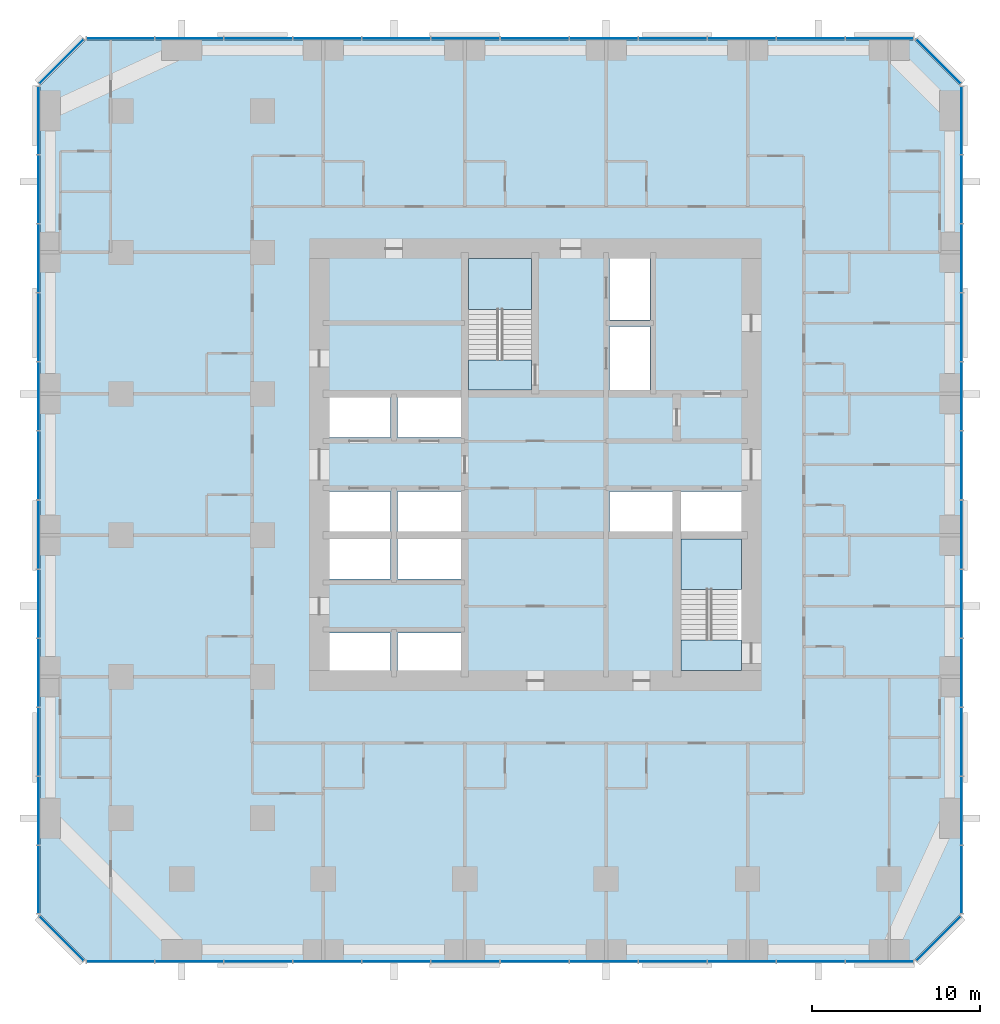
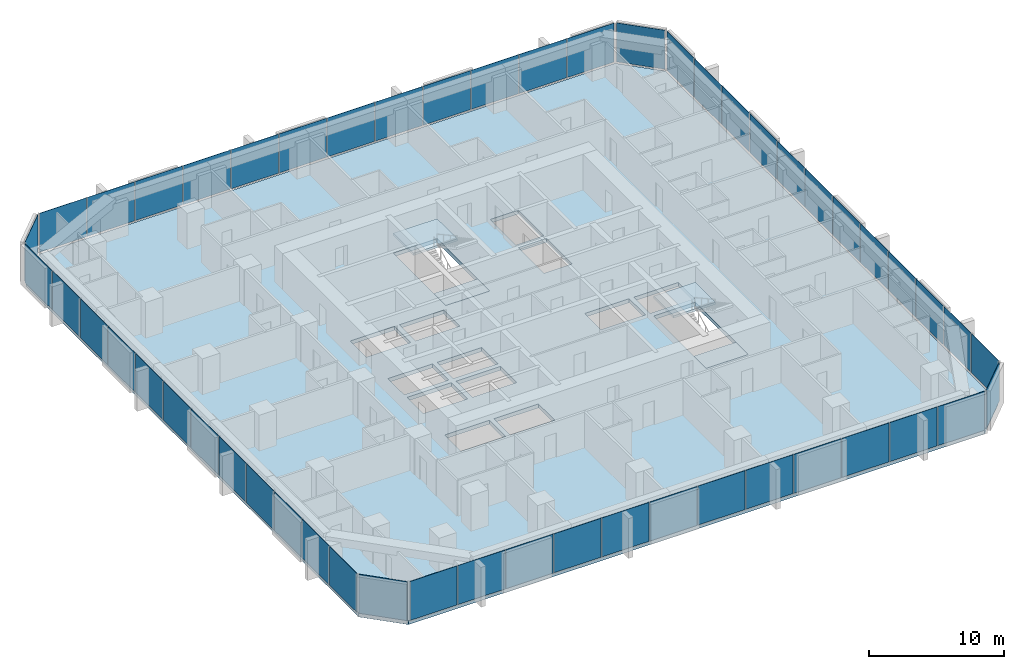
# One storey, part 7 of 13: 52 plates, 5 slabs, 10 elements without a shape of their own.
"""IFC4 building model written with IfcOpenShell, lengths in metres."""

from ifc_helpers import new_model, si_unit, direction, frame, origin, origin_2d, place, context, subcontext, project, spatial, polyline, rectangle, outline, extrude, material, layer, layer_set, type_object, element, aggregate, save


model = new_model("IFC4")

# Units and contexts
model_context = context("Model", 3, precision=1e-05, world=origin(), true_north=direction((0.0, 1.0)))
body_context = subcontext(model_context, "Body", "Model", "MODEL_VIEW")
ifc_project = project(units=[si_unit("LENGTHUNIT", "METRE"), si_unit("AREAUNIT", "SQUARE_METRE"), si_unit("VOLUMEUNIT", "CUBIC_METRE"), si_unit("PLANEANGLEUNIT", "RADIAN"), si_unit("MASSUNIT", "GRAM", prefix="KILO")], contexts=[model_context])

# Site, building, storey
site_placement = place(None, origin())
site = spatial("IfcSite", under=ifc_project, at=site_placement, CompositionType="ELEMENT")
building_placement = place(site_placement, origin())
building = spatial("IfcBuilding", under=site, at=building_placement, Name="Dunama Terrace Hotel", CompositionType="ELEMENT")
storey_placement = place(building_placement, frame((0.0, 0.0, 111.60009765625)))
storey = spatial("IfcBuildingStorey", under=building, at=storey_placement, Name="L28", CompositionType="ELEMENT", Elevation=111.60009765625)

# Curtain wall, plates
ifc_material_1 = material(Name="Aluminium curtain wall system", Category="aluminium")
curtain_wall_type = type_object("IfcCurtainWallType", Name="Unitised fritted glass wall CW-B", PredefinedType="NOTDEFINED", material=ifc_material_1)
curtain_wall_1_placement = place(storey_placement, origin())
curtain_wall_1 = element("IfcCurtainWall", 1, at=curtain_wall_1_placement, inside=storey, type_object=curtain_wall_type, Name="Unitised fritted glass wall CW-B L28", PredefinedType="NOTDEFINED")
ifc_material_2 = material(Name="Laminated glass", Category="glass")
ifc_layer_1 = layer(ifc_material_2, 0.030029296875)
ifc_layer_set_1 = layer_set([ifc_layer_1], Name="CWB clear glass panel")
plate_type_1 = type_object("IfcPlateType", Name="CWB clear glass panel", PredefinedType="CURTAIN_PANEL", material=ifc_layer_set_1)
plate_1_placement = place(storey_placement, frame((4.76611328125, -0.110107421875, 0.079833984375), z_axis=(0.0, 0.0, 1.0), x_axis=(1.0, 0.0, 0.0)))
plate_1 = element("IfcPlate", 2, at=plate_1_placement, type_object=plate_type_1, Name="CWB clear glass panel", PredefinedType="CURTAIN_PANEL", context=body_context, shape_type="SweptSolid", body=[
    extrude(rectangle(XDim=4.00244140625, YDim=0.030029296875, at=origin_2d()), origin(), (0.0, 0.0, 1.0), 3.52001953125),
])
plate_2_placement = place(storey_placement, frame((17.050048828125, -0.110107421875, 0.079833984375), z_axis=(0.0, 0.0, 1.0), x_axis=(1.0, 0.0, 0.0)))
plate_2 = element("IfcPlate", 3, at=plate_2_placement, type_object=plate_type_1, Name="CWB clear glass panel", PredefinedType="CURTAIN_PANEL", context=body_context, shape_type="SweptSolid", body=[
    extrude(rectangle(XDim=4.034912109375, YDim=0.030029296875, at=origin_2d()), origin(), (0.0, 0.0, 1.0), 3.52001953125),
])
plate_3_placement = place(storey_placement, frame((29.35009765625, -0.110107421875, 0.079833984375), z_axis=(0.0, 0.0, 1.0), x_axis=(1.0, 0.0, 0.0)))
plate_3 = element("IfcPlate", 4, at=plate_3_placement, type_object=plate_type_1, Name="CWB clear glass panel", PredefinedType="CURTAIN_PANEL", context=body_context, shape_type="SweptSolid", body=[
    extrude(rectangle(XDim=4.034912109375, YDim=0.030029296875, at=origin_2d()), origin(), (0.0, 0.0, 1.0), 3.52001953125),
])
plate_4_placement = place(storey_placement, frame((41.64990234375, -0.110107421875, 0.079833984375), z_axis=(0.0, 0.0, 1.0), x_axis=(1.0, 0.0, 0.0)))
plate_4 = element("IfcPlate", 5, at=plate_4_placement, type_object=plate_type_1, Name="CWB clear glass panel", PredefinedType="CURTAIN_PANEL", context=body_context, shape_type="SweptSolid", body=[
    extrude(rectangle(XDim=4.034912109375, YDim=0.030029296875, at=origin_2d()), origin(), (0.0, 0.0, 1.0), 3.52001953125),
])

# Curtain wall, plate
curtain_wall_2_placement = place(storey_placement, origin())
curtain_wall_2 = element("IfcCurtainWall", 6, at=curtain_wall_2_placement, inside=storey, type_object=curtain_wall_type, Name="Unitised fritted glass wall CW-B L28", PredefinedType="NOTDEFINED")
plate_5_placement = place(storey_placement, frame((53.327880859375, 1.27197265625, 0.079833984375), z_axis=(0.0, 0.0, 1.0), x_axis=(0.707106781187, 0.707106781187, 0.0)))
plate_5 = element("IfcPlate", 7, at=plate_5_placement, type_object=plate_type_1, Name="CWB clear glass panel", PredefinedType="CURTAIN_PANEL", context=body_context, shape_type="SweptSolid", body=[
    extrude(rectangle(XDim=3.6884765625, YDim=0.030029296875, at=origin_2d()), origin(), (0.0, 0.0, 1.0), 3.52001953125),
])
aggregate(curtain_wall_2, [plate_5])

# Curtain wall, plates
curtain_wall_3_placement = place(storey_placement, origin())
curtain_wall_3 = element("IfcCurtainWall", 8, at=curtain_wall_3_placement, inside=storey, type_object=curtain_wall_type, Name="Unitised fritted glass wall CW-B L28", PredefinedType="NOTDEFINED")
plate_6_placement = place(storey_placement, frame((54.7099609375, 12.949951171875, 0.079833984375), z_axis=(0.0, 0.0, 1.0), x_axis=(0.0, 1.0, 0.0)))
plate_6 = element("IfcPlate", 9, at=plate_6_placement, type_object=plate_type_1, Name="CWB clear glass panel", PredefinedType="CURTAIN_PANEL", context=body_context, shape_type="SweptSolid", body=[
    extrude(rectangle(XDim=4.034912109375, YDim=0.030029296875, at=origin_2d()), origin(), (0.0, 0.0, 1.0), 3.52001953125),
])
plate_7_placement = place(storey_placement, frame((54.7099609375, 25.25, 0.079833984375), z_axis=(0.0, 0.0, 1.0), x_axis=(0.0, 1.0, 0.0)))
plate_7 = element("IfcPlate", 10, at=plate_7_placement, type_object=plate_type_1, Name="CWB clear glass panel", PredefinedType="CURTAIN_PANEL", context=body_context, shape_type="SweptSolid", body=[
    extrude(rectangle(XDim=4.034912109375, YDim=0.030029296875, at=origin_2d()), origin(), (0.0, 0.0, 1.0), 3.52001953125),
])
plate_8_placement = place(storey_placement, frame((54.7099609375, 37.550048828125, 0.079833984375), z_axis=(0.0, 0.0, 1.0), x_axis=(0.0, 1.0, 0.0)))
plate_8 = element("IfcPlate", 11, at=plate_8_placement, type_object=plate_type_1, Name="CWB clear glass panel", PredefinedType="CURTAIN_PANEL", context=body_context, shape_type="SweptSolid", body=[
    extrude(rectangle(XDim=4.034912109375, YDim=0.030029296875, at=origin_2d()), origin(), (0.0, 0.0, 1.0), 3.52001953125),
])
plate_9_placement = place(storey_placement, frame((54.7099609375, 49.833984375, 0.079833984375), z_axis=(0.0, 0.0, 1.0), x_axis=(0.0, 1.0, 0.0)))
plate_9 = element("IfcPlate", 12, at=plate_9_placement, type_object=plate_type_1, Name="CWB clear glass panel", PredefinedType="CURTAIN_PANEL", context=body_context, shape_type="SweptSolid", body=[
    extrude(rectangle(XDim=4.00244140625, YDim=0.030029296875, at=origin_2d()), origin(), (0.0, 0.0, 1.0), 3.52001953125),
])

curtain_wall_4_placement = place(storey_placement, origin())
curtain_wall_4 = element("IfcCurtainWall", 13, at=curtain_wall_4_placement, inside=storey, type_object=curtain_wall_type, Name="Unitised fritted glass wall CW-B L28", PredefinedType="NOTDEFINED")
plate_10_placement = place(storey_placement, frame((45.75, 54.7099609375, 0.079833984375), z_axis=(0.0, 0.0, 1.0), x_axis=(-1.0, 0.0, 0.0)))
plate_10 = element("IfcPlate", 14, at=plate_10_placement, type_object=plate_type_1, Name="CWB clear glass panel", PredefinedType="CURTAIN_PANEL", context=body_context, shape_type="SweptSolid", body=[
    extrude(rectangle(XDim=4.034912109375, YDim=0.030029296875, at=origin_2d()), origin(), (0.0, 0.0, 1.0), 3.52001953125),
])
plate_11_placement = place(storey_placement, frame((33.449951171875, 54.7099609375, 0.079833984375), z_axis=(0.0, 0.0, 1.0), x_axis=(-1.0, 0.0, 0.0)))
plate_11 = element("IfcPlate", 15, at=plate_11_placement, type_object=plate_type_1, Name="CWB clear glass panel", PredefinedType="CURTAIN_PANEL", context=body_context, shape_type="SweptSolid", body=[
    extrude(rectangle(XDim=4.034912109375, YDim=0.030029296875, at=origin_2d()), origin(), (0.0, 0.0, 1.0), 3.52001953125),
])
plate_12_placement = place(storey_placement, frame((21.14990234375, 54.7099609375, 0.079833984375), z_axis=(0.0, 0.0, 1.0), x_axis=(-1.0, 0.0, 0.0)))
plate_12 = element("IfcPlate", 16, at=plate_12_placement, type_object=plate_type_1, Name="CWB clear glass panel", PredefinedType="CURTAIN_PANEL", context=body_context, shape_type="SweptSolid", body=[
    extrude(rectangle(XDim=4.034912109375, YDim=0.030029296875, at=origin_2d()), origin(), (0.0, 0.0, 1.0), 3.52001953125),
])
plate_13_placement = place(storey_placement, frame((8.85009765625, 54.7099609375, 0.079833984375), z_axis=(0.0, 0.0, 1.0), x_axis=(-1.0, 0.0, 0.0)))
plate_13 = element("IfcPlate", 17, at=plate_13_placement, type_object=plate_type_1, Name="CWB clear glass panel", PredefinedType="CURTAIN_PANEL", context=body_context, shape_type="SweptSolid", body=[
    extrude(rectangle(XDim=4.034912109375, YDim=0.030029296875, at=origin_2d()), origin(), (0.0, 0.0, 1.0), 3.52001953125),
])

curtain_wall_5_placement = place(storey_placement, origin())
curtain_wall_5 = element("IfcCurtainWall", 18, at=curtain_wall_5_placement, inside=storey, type_object=curtain_wall_type, Name="Unitised fritted glass wall CW-B L28", PredefinedType="NOTDEFINED")
plate_14_placement = place(storey_placement, frame((-0.110107421875, 49.833984375, 0.079833984375), z_axis=(0.0, 0.0, 1.0), x_axis=(0.0, -1.0, 0.0)))
plate_14 = element("IfcPlate", 19, at=plate_14_placement, type_object=plate_type_1, Name="CWB clear glass panel", PredefinedType="CURTAIN_PANEL", context=body_context, shape_type="SweptSolid", body=[
    extrude(rectangle(XDim=4.00244140625, YDim=0.030029296875, at=origin_2d()), origin(), (0.0, 0.0, 1.0), 3.52001953125),
])
plate_15_placement = place(storey_placement, frame((-0.110107421875, 37.550048828125, 0.079833984375), z_axis=(0.0, 0.0, 1.0), x_axis=(0.0, -1.0, 0.0)))
plate_15 = element("IfcPlate", 20, at=plate_15_placement, type_object=plate_type_1, Name="CWB clear glass panel", PredefinedType="CURTAIN_PANEL", context=body_context, shape_type="SweptSolid", body=[
    extrude(rectangle(XDim=4.034912109375, YDim=0.030029296875, at=origin_2d()), origin(), (0.0, 0.0, 1.0), 3.52001953125),
])
plate_16_placement = place(storey_placement, frame((-0.110107421875, 25.25, 0.079833984375), z_axis=(0.0, 0.0, 1.0), x_axis=(0.0, -1.0, 0.0)))
plate_16 = element("IfcPlate", 21, at=plate_16_placement, type_object=plate_type_1, Name="CWB clear glass panel", PredefinedType="CURTAIN_PANEL", context=body_context, shape_type="SweptSolid", body=[
    extrude(rectangle(XDim=4.034912109375, YDim=0.030029296875, at=origin_2d()), origin(), (0.0, 0.0, 1.0), 3.52001953125),
])
plate_17_placement = place(storey_placement, frame((-0.110107421875, 12.949951171875, 0.079833984375), z_axis=(0.0, 0.0, 1.0), x_axis=(0.0, -1.0, 0.0)))
plate_17 = element("IfcPlate", 22, at=plate_17_placement, type_object=plate_type_1, Name="CWB clear glass panel", PredefinedType="CURTAIN_PANEL", context=body_context, shape_type="SweptSolid", body=[
    extrude(rectangle(XDim=4.034912109375, YDim=0.030029296875, at=origin_2d()), origin(), (0.0, 0.0, 1.0), 3.52001953125),
])

# Curtain wall, plate
curtain_wall_6_placement = place(storey_placement, origin())
curtain_wall_6 = element("IfcCurtainWall", 23, at=curtain_wall_6_placement, inside=storey, type_object=curtain_wall_type, Name="Unitised fritted glass wall CW-B L28", PredefinedType="NOTDEFINED")
plate_18_placement = place(storey_placement, frame((1.27197265625, 1.27197265625, 0.079833984375), z_axis=(0.0, 0.0, 1.0), x_axis=(0.707106781187, -0.707106781187, 0.0)))
plate_18 = element("IfcPlate", 24, at=plate_18_placement, type_object=plate_type_1, Name="CWB clear glass panel", PredefinedType="CURTAIN_PANEL", context=body_context, shape_type="SweptSolid", body=[
    extrude(rectangle(XDim=3.6884765625, YDim=0.030029296875, at=origin_2d()), origin(), (0.0, 0.0, 1.0), 3.52001953125),
])
aggregate(curtain_wall_6, [plate_18])

# Plate
ifc_material_3 = material(Name="Fritted laminated glass", Category="glass")
ifc_layer_2 = layer(ifc_material_3, 0.030029296875)
ifc_layer_set_2 = layer_set([ifc_layer_2], Name="CWB fritted glass panel")
plate_type_2 = type_object("IfcPlateType", Name="CWB fritted glass panel", PredefinedType="CURTAIN_PANEL", material=ifc_layer_set_2)
plate_19_placement = place(storey_placement, frame((12.949951171875, -0.110107421875, 0.079833984375), z_axis=(0.0, 0.0, 1.0), x_axis=(1.0, 0.0, 0.0)))
plate_19 = element("IfcPlate", 25, at=plate_19_placement, type_object=plate_type_2, Name="CWB fritted glass panel", PredefinedType="CURTAIN_PANEL", context=body_context, shape_type="SweptSolid", body=[
    extrude(rectangle(XDim=4.034912109375, YDim=0.030029296875, at=origin_2d()), origin(), (0.0, 0.0, 1.0), 3.52001953125),
])

plate_20_placement = place(storey_placement, frame((25.25, -0.110107421875, 0.079833984375), z_axis=(0.0, 0.0, 1.0), x_axis=(1.0, 0.0, 0.0)))
plate_20 = element("IfcPlate", 26, at=plate_20_placement, type_object=plate_type_2, Name="CWB fritted glass panel", PredefinedType="CURTAIN_PANEL", context=body_context, shape_type="SweptSolid", body=[
    extrude(rectangle(XDim=4.034912109375, YDim=0.030029296875, at=origin_2d()), origin(), (0.0, 0.0, 1.0), 3.52001953125),
])

plate_21_placement = place(storey_placement, frame((37.550048828125, -0.110107421875, 0.079833984375), z_axis=(0.0, 0.0, 1.0), x_axis=(1.0, 0.0, 0.0)))
plate_21 = element("IfcPlate", 27, at=plate_21_placement, type_object=plate_type_2, Name="CWB fritted glass panel", PredefinedType="CURTAIN_PANEL", context=body_context, shape_type="SweptSolid", body=[
    extrude(rectangle(XDim=4.034912109375, YDim=0.030029296875, at=origin_2d()), origin(), (0.0, 0.0, 1.0), 3.52001953125),
])

plate_22_placement = place(storey_placement, frame((49.833984375, -0.110107421875, 0.079833984375), z_axis=(0.0, 0.0, 1.0), x_axis=(1.0, 0.0, 0.0)))
plate_22 = element("IfcPlate", 28, at=plate_22_placement, type_object=plate_type_2, Name="CWB fritted glass panel", PredefinedType="CURTAIN_PANEL", context=body_context, shape_type="SweptSolid", body=[
    extrude(rectangle(XDim=4.00244140625, YDim=0.030029296875, at=origin_2d()), origin(), (0.0, 0.0, 1.0), 3.52001953125),
])

plate_23_placement = place(storey_placement, frame((54.7099609375, 8.85009765625, 0.079833984375), z_axis=(0.0, 0.0, 1.0), x_axis=(0.0, 1.0, 0.0)))
plate_23 = element("IfcPlate", 29, at=plate_23_placement, type_object=plate_type_2, Name="CWB fritted glass panel", PredefinedType="CURTAIN_PANEL", context=body_context, shape_type="SweptSolid", body=[
    extrude(rectangle(XDim=4.034912109375, YDim=0.030029296875, at=origin_2d()), origin(), (0.0, 0.0, 1.0), 3.52001953125),
])

plate_24_placement = place(storey_placement, frame((54.7099609375, 21.14990234375, 0.079833984375), z_axis=(0.0, 0.0, 1.0), x_axis=(0.0, 1.0, 0.0)))
plate_24 = element("IfcPlate", 30, at=plate_24_placement, type_object=plate_type_2, Name="CWB fritted glass panel", PredefinedType="CURTAIN_PANEL", context=body_context, shape_type="SweptSolid", body=[
    extrude(rectangle(XDim=4.034912109375, YDim=0.030029296875, at=origin_2d()), origin(), (0.0, 0.0, 1.0), 3.52001953125),
])

plate_25_placement = place(storey_placement, frame((54.7099609375, 33.449951171875, 0.079833984375), z_axis=(0.0, 0.0, 1.0), x_axis=(0.0, 1.0, 0.0)))
plate_25 = element("IfcPlate", 31, at=plate_25_placement, type_object=plate_type_2, Name="CWB fritted glass panel", PredefinedType="CURTAIN_PANEL", context=body_context, shape_type="SweptSolid", body=[
    extrude(rectangle(XDim=4.034912109375, YDim=0.030029296875, at=origin_2d()), origin(), (0.0, 0.0, 1.0), 3.52001953125),
])

plate_26_placement = place(storey_placement, frame((54.7099609375, 45.75, 0.079833984375), z_axis=(0.0, 0.0, 1.0), x_axis=(0.0, 1.0, 0.0)))
plate_26 = element("IfcPlate", 32, at=plate_26_placement, type_object=plate_type_2, Name="CWB fritted glass panel", PredefinedType="CURTAIN_PANEL", context=body_context, shape_type="SweptSolid", body=[
    extrude(rectangle(XDim=4.034912109375, YDim=0.030029296875, at=origin_2d()), origin(), (0.0, 0.0, 1.0), 3.52001953125),
])

plate_27_placement = place(storey_placement, frame((49.833984375, 54.7099609375, 0.079833984375), z_axis=(0.0, 0.0, 1.0), x_axis=(-1.0, 0.0, 0.0)))
plate_27 = element("IfcPlate", 33, at=plate_27_placement, type_object=plate_type_2, Name="CWB fritted glass panel", PredefinedType="CURTAIN_PANEL", context=body_context, shape_type="SweptSolid", body=[
    extrude(rectangle(XDim=4.00244140625, YDim=0.030029296875, at=origin_2d()), origin(), (0.0, 0.0, 1.0), 3.52001953125),
])

plate_28_placement = place(storey_placement, frame((37.550048828125, 54.7099609375, 0.079833984375), z_axis=(0.0, 0.0, 1.0), x_axis=(-1.0, 0.0, 0.0)))
plate_28 = element("IfcPlate", 34, at=plate_28_placement, type_object=plate_type_2, Name="CWB fritted glass panel", PredefinedType="CURTAIN_PANEL", context=body_context, shape_type="SweptSolid", body=[
    extrude(rectangle(XDim=4.034912109375, YDim=0.030029296875, at=origin_2d()), origin(), (0.0, 0.0, 1.0), 3.52001953125),
])

plate_29_placement = place(storey_placement, frame((25.25, 54.7099609375, 0.079833984375), z_axis=(0.0, 0.0, 1.0), x_axis=(-1.0, 0.0, 0.0)))
plate_29 = element("IfcPlate", 35, at=plate_29_placement, type_object=plate_type_2, Name="CWB fritted glass panel", PredefinedType="CURTAIN_PANEL", context=body_context, shape_type="SweptSolid", body=[
    extrude(rectangle(XDim=4.034912109375, YDim=0.030029296875, at=origin_2d()), origin(), (0.0, 0.0, 1.0), 3.52001953125),
])

plate_30_placement = place(storey_placement, frame((12.949951171875, 54.7099609375, 0.079833984375), z_axis=(0.0, 0.0, 1.0), x_axis=(-1.0, 0.0, 0.0)))
plate_30 = element("IfcPlate", 36, at=plate_30_placement, type_object=plate_type_2, Name="CWB fritted glass panel", PredefinedType="CURTAIN_PANEL", context=body_context, shape_type="SweptSolid", body=[
    extrude(rectangle(XDim=4.034912109375, YDim=0.030029296875, at=origin_2d()), origin(), (0.0, 0.0, 1.0), 3.52001953125),
])

# Curtain wall, plate
curtain_wall_7_placement = place(storey_placement, origin())
curtain_wall_7 = element("IfcCurtainWall", 37, at=curtain_wall_7_placement, inside=storey, type_object=curtain_wall_type, Name="Unitised fritted glass wall CW-B L28", PredefinedType="NOTDEFINED")
plate_31_placement = place(storey_placement, frame((1.27197265625, 53.327880859375, 0.079833984375), z_axis=(0.0, 0.0, 1.0), x_axis=(-0.707106781187, -0.707106781187, 0.0)))
plate_31 = element("IfcPlate", 38, at=plate_31_placement, type_object=plate_type_2, Name="CWB fritted glass panel", PredefinedType="CURTAIN_PANEL", context=body_context, shape_type="SweptSolid", body=[
    extrude(rectangle(XDim=3.6884765625, YDim=0.030029296875, at=origin_2d()), origin(), (0.0, 0.0, 1.0), 3.52001953125),
])
aggregate(curtain_wall_7, [plate_31])

# Plate
plate_32_placement = place(storey_placement, frame((-0.110107421875, 41.64990234375, 0.079833984375), z_axis=(0.0, 0.0, 1.0), x_axis=(0.0, -1.0, 0.0)))
plate_32 = element("IfcPlate", 39, at=plate_32_placement, type_object=plate_type_2, Name="CWB fritted glass panel", PredefinedType="CURTAIN_PANEL", context=body_context, shape_type="SweptSolid", body=[
    extrude(rectangle(XDim=4.034912109375, YDim=0.030029296875, at=origin_2d()), origin(), (0.0, 0.0, 1.0), 3.52001953125),
])

plate_33_placement = place(storey_placement, frame((-0.110107421875, 29.35009765625, 0.079833984375), z_axis=(0.0, 0.0, 1.0), x_axis=(0.0, -1.0, 0.0)))
plate_33 = element("IfcPlate", 40, at=plate_33_placement, type_object=plate_type_2, Name="CWB fritted glass panel", PredefinedType="CURTAIN_PANEL", context=body_context, shape_type="SweptSolid", body=[
    extrude(rectangle(XDim=4.034912109375, YDim=0.030029296875, at=origin_2d()), origin(), (0.0, 0.0, 1.0), 3.52001953125),
])

plate_34_placement = place(storey_placement, frame((-0.110107421875, 17.050048828125, 0.079833984375), z_axis=(0.0, 0.0, 1.0), x_axis=(0.0, -1.0, 0.0)))
plate_34 = element("IfcPlate", 41, at=plate_34_placement, type_object=plate_type_2, Name="CWB fritted glass panel", PredefinedType="CURTAIN_PANEL", context=body_context, shape_type="SweptSolid", body=[
    extrude(rectangle(XDim=4.034912109375, YDim=0.030029296875, at=origin_2d()), origin(), (0.0, 0.0, 1.0), 3.52001953125),
])

plate_35_placement = place(storey_placement, frame((-0.110107421875, 4.76611328125, 0.079833984375), z_axis=(0.0, 0.0, 1.0), x_axis=(0.0, -1.0, 0.0)))
plate_35 = element("IfcPlate", 42, at=plate_35_placement, type_object=plate_type_2, Name="CWB fritted glass panel", PredefinedType="CURTAIN_PANEL", context=body_context, shape_type="SweptSolid", body=[
    extrude(rectangle(XDim=4.00244140625, YDim=0.030029296875, at=origin_2d()), origin(), (0.0, 0.0, 1.0), 3.52001953125),
])

ifc_material_4 = material(Name="Laminated glass", Category="glass")
ifc_layer_3 = layer(ifc_material_4, 0.030029296875)
ifc_layer_set_3 = layer_set([ifc_layer_3], Name="CWB operable glass panel")
plate_type_3 = type_object("IfcPlateType", Name="CWB operable glass panel", PredefinedType="CURTAIN_PANEL", material=ifc_layer_set_3)
plate_36_placement = place(storey_placement, frame((8.85009765625, -0.110107421875, 0.079833984375), z_axis=(0.0, 0.0, 1.0), x_axis=(1.0, 0.0, 0.0)))
plate_36 = element("IfcPlate", 43, at=plate_36_placement, type_object=plate_type_3, Name="CWB operable glass panel", PredefinedType="CURTAIN_PANEL", context=body_context, shape_type="SweptSolid", body=[
    extrude(rectangle(XDim=4.034912109375, YDim=0.030029296875, at=origin_2d()), origin(), (0.0, 0.0, 1.0), 3.52001953125),
])

plate_37_placement = place(storey_placement, frame((21.14990234375, -0.110107421875, 0.079833984375), z_axis=(0.0, 0.0, 1.0), x_axis=(1.0, 0.0, 0.0)))
plate_37 = element("IfcPlate", 44, at=plate_37_placement, type_object=plate_type_3, Name="CWB operable glass panel", PredefinedType="CURTAIN_PANEL", context=body_context, shape_type="SweptSolid", body=[
    extrude(rectangle(XDim=4.034912109375, YDim=0.030029296875, at=origin_2d()), origin(), (0.0, 0.0, 1.0), 3.52001953125),
])

plate_38_placement = place(storey_placement, frame((33.449951171875, -0.110107421875, 0.079833984375), z_axis=(0.0, 0.0, 1.0), x_axis=(1.0, 0.0, 0.0)))
plate_38 = element("IfcPlate", 45, at=plate_38_placement, type_object=plate_type_3, Name="CWB operable glass panel", PredefinedType="CURTAIN_PANEL", context=body_context, shape_type="SweptSolid", body=[
    extrude(rectangle(XDim=4.034912109375, YDim=0.030029296875, at=origin_2d()), origin(), (0.0, 0.0, 1.0), 3.52001953125),
])

plate_39_placement = place(storey_placement, frame((45.75, -0.110107421875, 0.079833984375), z_axis=(0.0, 0.0, 1.0), x_axis=(1.0, 0.0, 0.0)))
plate_39 = element("IfcPlate", 46, at=plate_39_placement, type_object=plate_type_3, Name="CWB operable glass panel", PredefinedType="CURTAIN_PANEL", context=body_context, shape_type="SweptSolid", body=[
    extrude(rectangle(XDim=4.034912109375, YDim=0.030029296875, at=origin_2d()), origin(), (0.0, 0.0, 1.0), 3.52001953125),
])

aggregate(curtain_wall_1, [plate_1, plate_36, plate_19, plate_2, plate_37, plate_20, plate_3, plate_38, plate_21, plate_4, plate_39, plate_22])

plate_40_placement = place(storey_placement, frame((54.7099609375, 4.76611328125, 0.079833984375), z_axis=(0.0, 0.0, 1.0), x_axis=(0.0, 1.0, 0.0)))
plate_40 = element("IfcPlate", 47, at=plate_40_placement, type_object=plate_type_3, Name="CWB operable glass panel", PredefinedType="CURTAIN_PANEL", context=body_context, shape_type="SweptSolid", body=[
    extrude(rectangle(XDim=4.00244140625, YDim=0.030029296875, at=origin_2d()), origin(), (0.0, 0.0, 1.0), 3.52001953125),
])

plate_41_placement = place(storey_placement, frame((54.7099609375, 17.050048828125, 0.079833984375), z_axis=(0.0, 0.0, 1.0), x_axis=(0.0, 1.0, 0.0)))
plate_41 = element("IfcPlate", 48, at=plate_41_placement, type_object=plate_type_3, Name="CWB operable glass panel", PredefinedType="CURTAIN_PANEL", context=body_context, shape_type="SweptSolid", body=[
    extrude(rectangle(XDim=4.034912109375, YDim=0.030029296875, at=origin_2d()), origin(), (0.0, 0.0, 1.0), 3.52001953125),
])

plate_42_placement = place(storey_placement, frame((54.7099609375, 29.35009765625, 0.079833984375), z_axis=(0.0, 0.0, 1.0), x_axis=(0.0, 1.0, 0.0)))
plate_42 = element("IfcPlate", 49, at=plate_42_placement, type_object=plate_type_3, Name="CWB operable glass panel", PredefinedType="CURTAIN_PANEL", context=body_context, shape_type="SweptSolid", body=[
    extrude(rectangle(XDim=4.034912109375, YDim=0.030029296875, at=origin_2d()), origin(), (0.0, 0.0, 1.0), 3.52001953125),
])

plate_43_placement = place(storey_placement, frame((54.7099609375, 41.64990234375, 0.079833984375), z_axis=(0.0, 0.0, 1.0), x_axis=(0.0, 1.0, 0.0)))
plate_43 = element("IfcPlate", 50, at=plate_43_placement, type_object=plate_type_3, Name="CWB operable glass panel", PredefinedType="CURTAIN_PANEL", context=body_context, shape_type="SweptSolid", body=[
    extrude(rectangle(XDim=4.034912109375, YDim=0.030029296875, at=origin_2d()), origin(), (0.0, 0.0, 1.0), 3.52001953125),
])

aggregate(curtain_wall_3, [plate_40, plate_23, plate_6, plate_41, plate_24, plate_7, plate_42, plate_25, plate_8, plate_43, plate_26, plate_9])

# Curtain wall, plate
curtain_wall_8_placement = place(storey_placement, origin())
curtain_wall_8 = element("IfcCurtainWall", 51, at=curtain_wall_8_placement, inside=storey, type_object=curtain_wall_type, Name="Unitised fritted glass wall CW-B L28", PredefinedType="NOTDEFINED")
plate_44_placement = place(storey_placement, frame((53.327880859375, 53.327880859375, 0.079833984375), z_axis=(0.0, 0.0, 1.0), x_axis=(-0.707106781187, 0.707106781187, 0.0)))
plate_44 = element("IfcPlate", 52, at=plate_44_placement, type_object=plate_type_3, Name="CWB operable glass panel", PredefinedType="CURTAIN_PANEL", context=body_context, shape_type="SweptSolid", body=[
    extrude(rectangle(XDim=3.6884765625, YDim=0.030029296875, at=origin_2d()), origin(), (0.0, 0.0, 1.0), 3.52001953125),
])
aggregate(curtain_wall_8, [plate_44])

# Plate
plate_45_placement = place(storey_placement, frame((41.64990234375, 54.7099609375, 0.079833984375), z_axis=(0.0, 0.0, 1.0), x_axis=(-1.0, 0.0, 0.0)))
plate_45 = element("IfcPlate", 53, at=plate_45_placement, type_object=plate_type_3, Name="CWB operable glass panel", PredefinedType="CURTAIN_PANEL", context=body_context, shape_type="SweptSolid", body=[
    extrude(rectangle(XDim=4.034912109375, YDim=0.030029296875, at=origin_2d()), origin(), (0.0, 0.0, 1.0), 3.52001953125),
])

plate_46_placement = place(storey_placement, frame((29.35009765625, 54.7099609375, 0.079833984375), z_axis=(0.0, 0.0, 1.0), x_axis=(-1.0, 0.0, 0.0)))
plate_46 = element("IfcPlate", 54, at=plate_46_placement, type_object=plate_type_3, Name="CWB operable glass panel", PredefinedType="CURTAIN_PANEL", context=body_context, shape_type="SweptSolid", body=[
    extrude(rectangle(XDim=4.034912109375, YDim=0.030029296875, at=origin_2d()), origin(), (0.0, 0.0, 1.0), 3.52001953125),
])

plate_47_placement = place(storey_placement, frame((17.050048828125, 54.7099609375, 0.079833984375), z_axis=(0.0, 0.0, 1.0), x_axis=(-1.0, 0.0, 0.0)))
plate_47 = element("IfcPlate", 55, at=plate_47_placement, type_object=plate_type_3, Name="CWB operable glass panel", PredefinedType="CURTAIN_PANEL", context=body_context, shape_type="SweptSolid", body=[
    extrude(rectangle(XDim=4.034912109375, YDim=0.030029296875, at=origin_2d()), origin(), (0.0, 0.0, 1.0), 3.52001953125),
])

plate_48_placement = place(storey_placement, frame((4.76611328125, 54.7099609375, 0.079833984375), z_axis=(0.0, 0.0, 1.0), x_axis=(-1.0, 0.0, 0.0)))
plate_48 = element("IfcPlate", 56, at=plate_48_placement, type_object=plate_type_3, Name="CWB operable glass panel", PredefinedType="CURTAIN_PANEL", context=body_context, shape_type="SweptSolid", body=[
    extrude(rectangle(XDim=4.00244140625, YDim=0.030029296875, at=origin_2d()), origin(), (0.0, 0.0, 1.0), 3.52001953125),
])

aggregate(curtain_wall_4, [plate_27, plate_10, plate_45, plate_28, plate_11, plate_46, plate_29, plate_12, plate_47, plate_30, plate_13, plate_48])

plate_49_placement = place(storey_placement, frame((-0.110107421875, 45.75, 0.079833984375), z_axis=(0.0, 0.0, 1.0), x_axis=(0.0, -1.0, 0.0)))
plate_49 = element("IfcPlate", 57, at=plate_49_placement, type_object=plate_type_3, Name="CWB operable glass panel", PredefinedType="CURTAIN_PANEL", context=body_context, shape_type="SweptSolid", body=[
    extrude(rectangle(XDim=4.034912109375, YDim=0.030029296875, at=origin_2d()), origin(), (0.0, 0.0, 1.0), 3.52001953125),
])

plate_50_placement = place(storey_placement, frame((-0.110107421875, 33.449951171875, 0.079833984375), z_axis=(0.0, 0.0, 1.0), x_axis=(0.0, -1.0, 0.0)))
plate_50 = element("IfcPlate", 58, at=plate_50_placement, type_object=plate_type_3, Name="CWB operable glass panel", PredefinedType="CURTAIN_PANEL", context=body_context, shape_type="SweptSolid", body=[
    extrude(rectangle(XDim=4.034912109375, YDim=0.030029296875, at=origin_2d()), origin(), (0.0, 0.0, 1.0), 3.52001953125),
])

plate_51_placement = place(storey_placement, frame((-0.110107421875, 21.14990234375, 0.079833984375), z_axis=(0.0, 0.0, 1.0), x_axis=(0.0, -1.0, 0.0)))
plate_51 = element("IfcPlate", 59, at=plate_51_placement, type_object=plate_type_3, Name="CWB operable glass panel", PredefinedType="CURTAIN_PANEL", context=body_context, shape_type="SweptSolid", body=[
    extrude(rectangle(XDim=4.034912109375, YDim=0.030029296875, at=origin_2d()), origin(), (0.0, 0.0, 1.0), 3.52001953125),
])

plate_52_placement = place(storey_placement, frame((-0.110107421875, 8.85009765625, 0.079833984375), z_axis=(0.0, 0.0, 1.0), x_axis=(0.0, -1.0, 0.0)))
plate_52 = element("IfcPlate", 60, at=plate_52_placement, type_object=plate_type_3, Name="CWB operable glass panel", PredefinedType="CURTAIN_PANEL", context=body_context, shape_type="SweptSolid", body=[
    extrude(rectangle(XDim=4.034912109375, YDim=0.030029296875, at=origin_2d()), origin(), (0.0, 0.0, 1.0), 3.52001953125),
])

aggregate(curtain_wall_5, [plate_14, plate_49, plate_32, plate_15, plate_50, plate_33, plate_16, plate_51, plate_34, plate_17, plate_52, plate_35])

# Slab
ifc_material_5 = material(Name="Concrete C40/50", Category="concrete")
ifc_layer_4 = layer(ifc_material_5, 0.35009765625)
ifc_layer_set_4 = layer_set([ifc_layer_4], Name="Flat plate 350")
slab_type_1 = type_object("IfcSlabType", Name="Flat plate 350", PredefinedType="FLOOR", material=ifc_layer_set_4)
slab_1_placement = place(storey_placement, frame((0.0, 0.0, -0.35009765625)))
element("IfcSlab", 61, at=slab_1_placement, inside=storey, type_object=slab_type_1, Name="Floor slab L28", PredefinedType="FLOOR", context=body_context, shape_type="SweptSolid", body=[
    extrude(outline(polyline([(2.699951171875, 0.0), (51.89990234375, 0.0), (54.60009765625, 2.699951171875), (54.60009765625, 51.89990234375), (51.89990234375, 54.60009765625), (2.699951171875, 54.60009765625), (0.0, 51.89990234375), (0.0, 2.699951171875), (2.699951171875, 0.0)]), holes=[polyline([(37.60009765625, 25.39990234375), (37.60009765625, 27.800048828125), (33.800048828125, 27.800048828125), (33.800048828125, 25.39990234375), (37.60009765625, 25.39990234375)]), polyline([(41.800048828125, 25.39990234375), (41.800048828125, 27.800048828125), (38.0, 27.800048828125), (38.0, 25.39990234375), (41.800048828125, 25.39990234375)]), polyline([(20.800048828125, 17.0), (20.800048828125, 19.39990234375), (17.0, 19.39990234375), (17.0, 17.0), (20.800048828125, 17.0)]), polyline([(25.0, 17.0), (25.0, 19.39990234375), (21.199951171875, 19.39990234375), (21.199951171875, 17.0), (25.0, 17.0)]), polyline([(20.800048828125, 22.60009765625), (20.800048828125, 25.0), (17.0, 25.0), (17.0, 22.60009765625), (20.800048828125, 22.60009765625)]), polyline([(25.0, 22.60009765625), (25.0, 25.0), (21.199951171875, 25.0), (21.199951171875, 22.60009765625), (25.0, 22.60009765625)]), polyline([(20.800048828125, 25.39990234375), (20.800048828125, 27.800048828125), (17.0, 27.800048828125), (17.0, 25.39990234375), (20.800048828125, 25.39990234375)]), polyline([(25.0, 25.39990234375), (25.0, 27.800048828125), (21.199951171875, 27.800048828125), (21.199951171875, 25.39990234375), (25.0, 25.39990234375)]), polyline([(20.800048828125, 31.0), (20.800048828125, 33.39990234375), (17.0, 33.39990234375), (17.0, 31.0), (20.800048828125, 31.0)]), polyline([(25.0, 31.0), (25.0, 33.39990234375), (21.199951171875, 33.39990234375), (21.199951171875, 31.0), (25.0, 31.0)]), polyline([(36.199951171875, 38.0), (36.199951171875, 41.800048828125), (33.800048828125, 41.800048828125), (33.800048828125, 38.0), (36.199951171875, 38.0)]), polyline([(36.199951171875, 33.800048828125), (36.199951171875, 37.60009765625), (33.800048828125, 37.60009765625), (33.800048828125, 33.800048828125), (36.199951171875, 33.800048828125)]), polyline([(29.175048828125, 33.824951171875), (29.175048828125, 41.625), (25.425048828125, 41.625), (25.425048828125, 33.824951171875), (29.175048828125, 33.824951171875)]), polyline([(41.625, 17.175048828125), (41.625, 24.97509765625), (38.050048828125, 24.97509765625), (38.050048828125, 17.175048828125), (41.625, 17.175048828125)])]), origin(), (0.0, 0.0, 1.0), 0.35009765625),
])

# Stair, slabs
ifc_material_6 = material(Name="Concrete C40/50", Category="concrete")
stair_type_1 = type_object("IfcStairType", Name="Stair ST1-3600-1800", PredefinedType="HALF_TURN_STAIR", material=ifc_material_6)
stair_1_placement = place(storey_placement, origin())
stair_1 = element("IfcStair", 62, at=stair_1_placement, inside=storey, type_object=stair_type_1, Name="Stair ST1 L28", PredefinedType="HALF_TURN_STAIR")
ifc_material_7 = material(Name="Concrete C40/50", Category="concrete")
ifc_layer_5 = layer(ifc_material_7, 0.199951171875)
ifc_layer_set_5 = layer_set([ifc_layer_5], Name="Stair landing 200")
slab_type_2 = type_object("IfcSlabType", Name="Stair landing 200", PredefinedType="LANDING", material=ifc_layer_set_5)
slab_2_placement = place(storey_placement, frame((0.0, 0.0, -0.2001953125)))
slab_2 = element("IfcSlab", 63, at=slab_2_placement, type_object=slab_type_2, Name="ST1 landing 1, type S10", PredefinedType="LANDING", context=body_context, shape_type="SweptSolid", body=[
    extrude(outline(polyline([(25.425048828125, 33.824951171875), (29.175048828125, 33.824951171875), (29.175048828125, 35.625), (25.425048828125, 35.625), (25.425048828125, 33.824951171875)])), origin(), (0.0, 0.0, 1.0), 0.2001953125),
])
slab_3_placement = place(storey_placement, frame((0.0, 0.0, 1.599853515625)))
slab_3 = element("IfcSlab", 64, at=slab_3_placement, type_object=slab_type_2, Name="ST1 landing 2, type S10", PredefinedType="LANDING", context=body_context, shape_type="SweptSolid", body=[
    extrude(outline(polyline([(25.425048828125, 38.625), (29.175048828125, 38.625), (29.175048828125, 41.625), (25.425048828125, 41.625), (25.425048828125, 38.625)])), origin(), (0.0, 0.0, 1.0), 0.199951171875),
])
aggregate(stair_1, [slab_2, slab_3])

ifc_material_8 = material(Name="Concrete C40/50", Category="concrete")
stair_type_2 = type_object("IfcStairType", Name="Stair ST2-3600-1600", PredefinedType="HALF_TURN_STAIR", material=ifc_material_8)
stair_2_placement = place(storey_placement, origin())
stair_2 = element("IfcStair", 65, at=stair_2_placement, inside=storey, type_object=stair_type_2, Name="Stair ST2 L28", PredefinedType="HALF_TURN_STAIR")
slab_4_placement = place(storey_placement, frame((0.0, 0.0, -0.2001953125)))
slab_4 = element("IfcSlab", 66, at=slab_4_placement, type_object=slab_type_2, Name="ST2 landing 1, type S10", PredefinedType="LANDING", context=body_context, shape_type="SweptSolid", body=[
    extrude(outline(polyline([(38.050048828125, 17.175048828125), (41.625, 17.175048828125), (41.625, 19.0), (38.050048828125, 19.0), (38.050048828125, 17.175048828125)])), origin(), (0.0, 0.0, 1.0), 0.2001953125),
])
slab_5_placement = place(storey_placement, frame((0.0, 0.0, 1.599853515625)))
slab_5 = element("IfcSlab", 67, at=slab_5_placement, type_object=slab_type_2, Name="ST2 landing 2, type S10", PredefinedType="LANDING", context=body_context, shape_type="SweptSolid", body=[
    extrude(outline(polyline([(38.050048828125, 22.0), (41.625, 22.0), (41.625, 24.97509765625), (38.050048828125, 24.97509765625), (38.050048828125, 22.0)])), origin(), (0.0, 0.0, 1.0), 0.199951171875),
])
aggregate(stair_2, [slab_4, slab_5])

save(model, "model.ifc")
